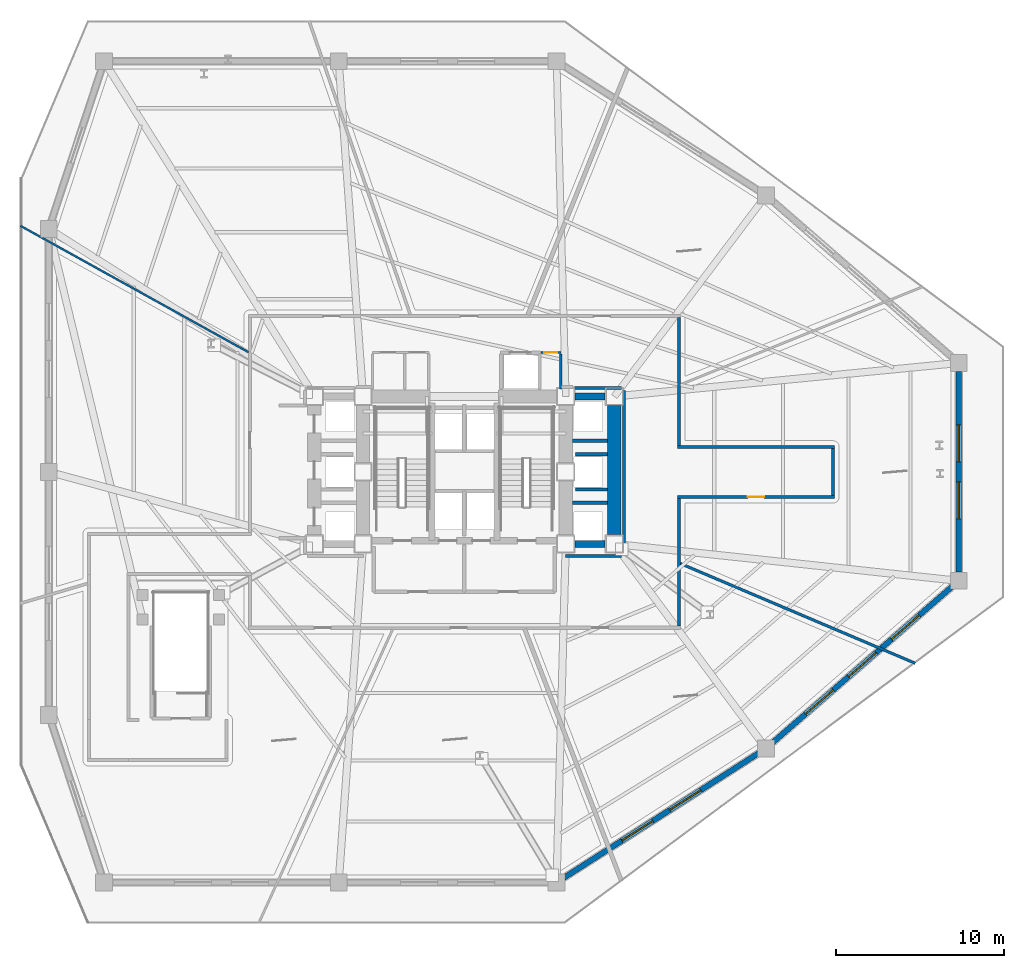
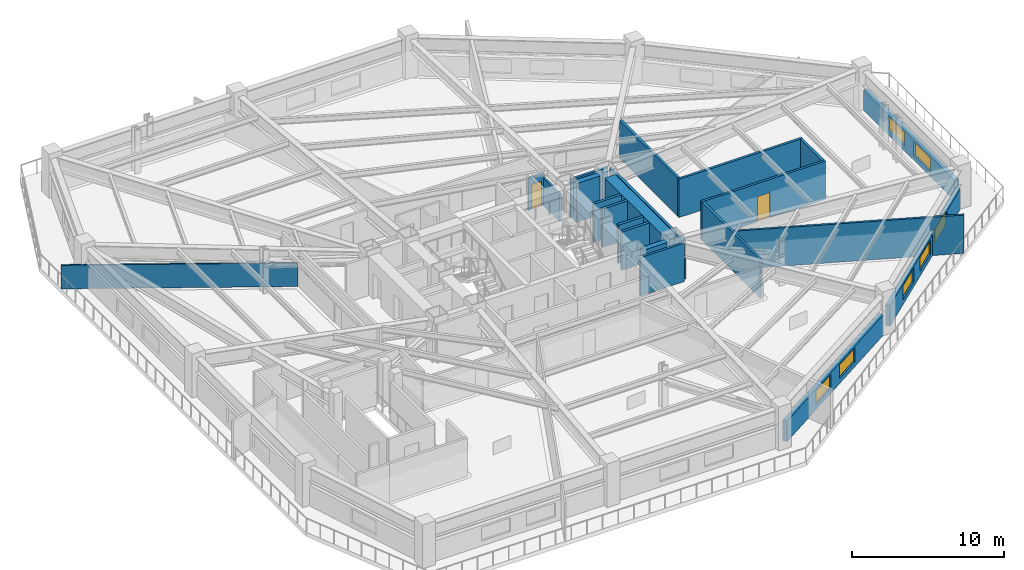
# One storey, part 5 of 10: 22 walls, 7 windows, 2 doors, 9 openings.
"""IFC4 building model written with IfcOpenShell, lengths in metres."""

import ifcopenshell
import ifcopenshell.guid

model = None  # the IFC model being written
_history = None  # IfcOwnerHistory: only IFC2X3 demands one
_inside = {}  # id of a spatial element -> (the spatial element, [elements in it])
_under = {}  # id of a project, library or spatial element -> (it, [spatial elements below it])
_declared = {}  # id of a project -> (the project, [libraries it declares])
_typed = {}  # id of a type object -> (the type object, [elements of that type])
_made_of = {}  # id of a material, layer set ... -> (it, [elements and type objects made of it])


def new_model(schema):
    """Start an empty IFC model of exactly this schema.

    Asked for "IFC4X3", IfcOpenShell would pick the latest addendum, in which some entities
    have other attributes; the version numbers below select the first issue.
    IFC2X3 requires an IfcOwnerHistory on every rooted entity: one is made here for all.
    """
    global model, _history
    if schema == "IFC4X3":
        model = ifcopenshell.file(schema_version=(4, 3, 0, 0))
    else:
        model = ifcopenshell.file(schema=schema)
    _inside.clear()
    _under.clear()
    _declared.clear()
    _typed.clear()
    _made_of.clear()
    _history = None
    if model.schema == "IFC2X3":
        org = make("IfcOrganization", Name="unknown")
        user = make(
            "IfcPersonAndOrganization",
            ThePerson=make("IfcPerson", FamilyName="unknown"),
            TheOrganization=org,
        )
        app = make(
            "IfcApplication",
            ApplicationDeveloper=org,
            Version="unknown",
            ApplicationFullName="unknown",
            ApplicationIdentifier="unknown",
        )
        _history = make(
            "IfcOwnerHistory",
            OwningUser=user,
            OwningApplication=app,
            ChangeAction="ADDED",
            CreationDate=0,
        )
    return model


def make(cls, **values):
    """One entity of the class cls with the attributes given. An attribute that is None is left unset."""
    return model.create_entity(
        cls, **{name: value for name, value in values.items() if value is not None}
    )


def rooted(cls, **values):
    """An entity with a GlobalId (a new one), such as an element, a storey or a relation."""
    return make(cls, GlobalId=ifcopenshell.guid.new(), OwnerHistory=_history, **values)


def si_unit(unit_type, name, prefix=None):
    """IfcSIUnit, for example si_unit("LENGTHUNIT", "METRE", prefix="MILLI")."""
    return make("IfcSIUnit", UnitType=unit_type, Prefix=prefix, Name=name)


def assignment(units):
    """IfcUnitAssignment: the units of a project."""
    return None if units is None else make("IfcUnitAssignment", Units=units)


def point(xyz):
    """IfcCartesianPoint."""
    return None if xyz is None else make("IfcCartesianPoint", Coordinates=xyz)


def direction(xyz):
    """IfcDirection."""
    return None if xyz is None else make("IfcDirection", DirectionRatios=xyz)


def frame(location, z_axis=None, x_axis=None):
    """IfcAxis2Placement3D, a coordinate frame: its origin and axes. An axis left out is left unset."""
    return make(
        "IfcAxis2Placement3D",
        Location=point(location),
        Axis=direction(z_axis),
        RefDirection=direction(x_axis),
    )


def frame_2d(location, x_axis=None):
    """IfcAxis2Placement2D, a coordinate frame in the plane: its origin and x axis."""
    return make(
        "IfcAxis2Placement2D", Location=point(location), RefDirection=direction(x_axis)
    )


def origin():
    """The frame at (0, 0, 0) with its axes left unset."""
    return frame((0.0, 0.0, 0.0))


def place(relative_to, where):
    """IfcLocalPlacement: puts the frame where relative to a parent placement (None: the world)."""
    return make(
        "IfcLocalPlacement", PlacementRelTo=relative_to, RelativePlacement=where
    )


def context(
    kind, dimensions, precision=None, world=None, true_north=None, identifier=None
):
    """IfcGeometricRepresentationContext, for example the 3D "Model" context."""
    return make(
        "IfcGeometricRepresentationContext",
        ContextIdentifier=identifier,
        ContextType=kind,
        CoordinateSpaceDimension=dimensions,
        Precision=precision,
        WorldCoordinateSystem=world,
        TrueNorth=true_north,
    )


def subcontext(parent, identifier, kind, view, scale=None):
    """IfcGeometricRepresentationSubContext, for example "Body" below "Model"."""
    return make(
        "IfcGeometricRepresentationSubContext",
        ContextIdentifier=identifier,
        ContextType=kind,
        ParentContext=parent,
        TargetScale=scale,
        TargetView=view,
    )


def project(units=None, contexts=None):
    """IfcProject with its units and contexts."""
    return rooted(
        "IfcProject",
        Name="project",
        RepresentationContexts=contexts,
        UnitsInContext=assignment(units),
    )


def spatial(cls, under=None, at=None, **own):
    """A site, building, storey or space (cls), placed at a placement, below another one or the project."""
    s = rooted(cls, ObjectPlacement=at, **own)
    if under is not None:
        _under.setdefault(under.id(), (under, []))[1].append(s)
    return s


def profile(cls, at=None, kind="AREA", **sizes):
    """A parametric profile (cls). Its sizes go by their IFC names, for example OverallWidth=200.0."""
    return make(cls, ProfileType=kind, Position=at, **sizes)


def rectangle(**sizes):
    """IfcRectangleProfileDef."""
    return profile("IfcRectangleProfileDef", **sizes)


def extrude(swept, where, along, depth):
    """IfcExtrudedAreaSolid: the profile swept, set in the frame where, extruded along a direction by depth."""
    return make(
        "IfcExtrudedAreaSolid",
        SweptArea=swept,
        Position=where,
        ExtrudedDirection=direction(along),
        Depth=depth,
    )


def shape(context_of_items, identifier, shape_type, items):
    """IfcShapeRepresentation: the items that make up one representation, for example the "Body"."""
    return make(
        "IfcShapeRepresentation",
        ContextOfItems=context_of_items,
        RepresentationIdentifier=identifier,
        RepresentationType=shape_type,
        Items=items,
    )


def material(Name=None, Category=None):
    """IfcMaterial."""
    return make("IfcMaterial", Name=Name, Category=Category)


def layer(
    of_material, thickness, ventilated=None, Name=None, Category=None, Priority=None
):
    """IfcMaterialLayer: one layer of a wall or slab, of a material (None: an air gap)."""
    return make(
        "IfcMaterialLayer",
        Material=of_material,
        LayerThickness=thickness,
        IsVentilated=ventilated,
        Name=Name,
        Category=Category,
        Priority=Priority,
    )


def layer_set(layers, Name=None):
    """IfcMaterialLayerSet."""
    return make("IfcMaterialLayerSet", MaterialLayers=layers, LayerSetName=Name)


def made_of(thing, what):
    """Note that an element or type object is made of a material, layer set ...; save() writes the relation."""
    if what is not None:
        _made_of.setdefault(what.id(), (what, []))[1].append(thing)
    return thing


def type_object(cls, material=None, **own):
    """A type object (cls), such as IfcWallType, which elements share."""
    return made_of(rooted(cls, **own), material)


def element(
    cls,
    number,
    at=None,
    inside=None,
    cuts=None,
    type_object=None,
    material=None,
    context=None,
    identifier="Body",
    shape_type=None,
    held_by="IfcProductDefinitionShape",
    body=None,
    shapes=None,
    **own,
):
    """One element of the class cls, such as IfcWall. Its Tag is "e" and its number.

    at: its placement. inside: the storey or other place that contains it. cuts: it is an
    opening in that element (IfcRelVoidsElement). A single representation is given by context,
    identifier, shape_type and body (its items); several are given by shapes. held_by: the class
    of the entity that holds the representations. save() writes the other relations.
    """
    e = rooted(cls, Tag="e%d" % number, ObjectPlacement=at, **own)
    if body is not None:
        shapes = [shape(context, identifier, shape_type, body)]
    if shapes is not None:
        e.Representation = make(held_by, Representations=shapes)
    if inside is not None:
        _inside.setdefault(inside.id(), (inside, []))[1].append(e)
    if cuts is not None:
        rooted(
            "IfcRelVoidsElement", RelatingBuildingElement=cuts, RelatedOpeningElement=e
        )
    if type_object is not None:
        _typed.setdefault(type_object.id(), (type_object, []))[1].append(e)
    return made_of(e, material)


def fill(opening, filler):
    """IfcRelFillsElement: the door or window that sits in an opening."""
    return rooted(
        "IfcRelFillsElement",
        RelatingOpeningElement=opening,
        RelatedBuildingElement=filler,
    )


def aggregate(whole, parts):
    """IfcRelAggregates: a whole, such as a stair, and the parts it consists of."""
    return rooted("IfcRelAggregates", RelatingObject=whole, RelatedObjects=parts)


def save(model, path):
    """Write the relations noted so far, then the file.

    IfcRelAggregates (storeys below a building ...), IfcRelContainedInSpatialStructure (elements
    in a storey), IfcRelDefinesByType, IfcRelAssociatesMaterial and IfcRelDeclares: one each for
    every whole, place, type object, material and project.
    """
    for whole, parts in _under.values():
        aggregate(whole, parts)
    for where, things in _inside.values():
        rooted(
            "IfcRelContainedInSpatialStructure",
            RelatedElements=things,
            RelatingStructure=where,
        )
    for kind, things in _typed.values():
        rooted("IfcRelDefinesByType", RelatedObjects=things, RelatingType=kind)
    for what, things in _made_of.values():
        rooted("IfcRelAssociatesMaterial", RelatedObjects=things, RelatingMaterial=what)
    for by, libraries in _declared.values():
        rooted("IfcRelDeclares", RelatingContext=by, RelatedDefinitions=libraries)
    model.write(path)


model = new_model("IFC4")

# Units and contexts
model_context = context("Model", 3, precision=1e-05, world=origin(), true_north=direction((0.0, 1.0)))
body_context = subcontext(model_context, "Body", "Model", "MODEL_VIEW")
ifc_project = project(units=[si_unit("LENGTHUNIT", "METRE"), si_unit("AREAUNIT", "SQUARE_METRE"), si_unit("VOLUMEUNIT", "CUBIC_METRE"), si_unit("PLANEANGLEUNIT", "RADIAN"), si_unit("MASSUNIT", "GRAM", prefix="KILO")], contexts=[model_context])

# Site, building, storey
site_placement = place(None, origin())
site = spatial("IfcSite", under=ifc_project, at=site_placement, CompositionType="ELEMENT")
building_placement = place(site_placement, origin())
building = spatial("IfcBuilding", under=site, at=building_placement, Name="Rocaltana Carrier Exchange", CompositionType="ELEMENT")
storey_placement = place(building_placement, frame((0.0, 0.0, 15.360107421875)))
storey = spatial("IfcBuildingStorey", under=building, at=storey_placement, Name="L05", CompositionType="ELEMENT", Elevation=15.360107421875)

# Walls
ifc_material_1 = material(Name="Double Acoustic Gypsum Partition", Category="gypsum")
ifc_layer_1 = layer(ifc_material_1, 0.159912109375)
ifc_layer_set_1 = layer_set([ifc_layer_1], Name="Double Acoustic Gypsum Partition")
wall_type_1 = type_object("IfcWallType", Name="Acoustic Studio Partition 160 EI60", PredefinedType="PARTITIONING", material=ifc_layer_set_1)
wall_1_placement = place(storey_placement, frame((12.8798828125, -5.46728515625, 0.0), z_axis=(0.0, 0.0, 1.0), x_axis=(0.920509657283, -0.390719811181, 0.0)))
element("IfcWall", 1, at=wall_1_placement, inside=storey, type_object=wall_type_1, Name="L05 Suite Divider Wall D4", PredefinedType="PARTITIONING", context=body_context, shape_type="SweptSolid", body=[
    extrude(rectangle(XDim=15.234375, YDim=0.159912109375, at=frame_2d((7.6171875, 0.0))), origin(), (0.0, 0.0, 1.0), 3.072998046875),
])
ifc_material_2 = material(Name="Concrete C50/60", Category="concrete")
ifc_layer_2 = layer(ifc_material_2, 0.39990234375)
ifc_layer_set_2 = layer_set([ifc_layer_2], Name="Concrete C50/60")
wall_type_2 = type_object("IfcWallType", Name="Core Internal Shear Wall 400", PredefinedType="SHEAR", material=ifc_layer_set_2)
for number, where, z_axis, x_axis, name in (
    (2, (6.60009765625, 4.5, 0.0), (0.0, 0.0, 1.0), (1.0, 0.0, 0.0), "L05 Core Shear Wall CW-EWN"),
    (3, (6.60009765625, -4.300048828125, 0.0), (0.0, 0.0, 1.0), (1.0, 0.0, 0.0), "L05 Core Shear Wall CW-EWS"),
):
    element("IfcWall", number, at=place(storey_placement, frame(where, z_axis=z_axis, x_axis=x_axis)), inside=storey, type_object=wall_type_2, Name=name, PredefinedType="SHEAR", context=body_context, shape_type="SweptSolid", body=[
        extrude(rectangle(XDim=1.7998046875, YDim=0.39990234375, at=frame_2d((0.89990234375, 0.0))), origin(), (0.0, 0.0, 1.0), 3.097900390625),
    ])
ifc_material_3 = material(Name="Concrete C60/75", Category="concrete")
ifc_layer_3 = layer(ifc_material_3, 0.800048828125)
ifc_layer_set_3 = layer_set([ifc_layer_3], Name="Concrete C60/75")
wall_type_3 = type_object("IfcWallType", Name="Core Shear Wall 800", PredefinedType="SHEAR", material=ifc_layer_set_3)
wall_2_placement = place(storey_placement, frame((8.949951171875, -3.75, 0.0), z_axis=(0.0, 0.0, 1.0), x_axis=(0.0, 1.0, 0.0)))
element("IfcWall", 4, at=wall_2_placement, inside=storey, type_object=wall_type_3, Name="L05 Core Shear Wall CW-EW", PredefinedType="SHEAR", context=body_context, shape_type="SweptSolid", body=[
    extrude(rectangle(XDim=7.699951171875, YDim=0.800048828125, at=frame_2d((3.85009765625, 0.0))), origin(), (0.0, 0.0, 1.0), 3.097900390625),
])
ifc_material_4 = material(Name="Gypsum & Steel Stud Partition", Category="steel")
ifc_layer_4 = layer(ifc_material_4, 0.179931640625)
ifc_layer_set_4 = layer_set([ifc_layer_4], Name="Gypsum & Steel Stud Partition")
wall_type_4 = type_object("IfcWallType", Name="Corridor Fire Partition 180 EI60", PredefinedType="PARTITIONING", material=ifc_layer_set_4)
wall_3_placement = place(storey_placement, frame((12.800048828125, 9.2099609375, 0.0), z_axis=(0.0, 0.0, 1.0), x_axis=(0.0, -1.0, 0.0)))
element("IfcWall", 5, at=wall_3_placement, inside=storey, type_object=wall_type_4, Name="L05 Corridor Partition 9", PredefinedType="PARTITIONING", context=body_context, shape_type="SweptSolid", body=[
    extrude(rectangle(XDim=7.619873046875, YDim=0.179931640625, at=frame_2d((3.81005859375, 0.0))), origin(), (0.0, 0.0, 1.0), 3.072998046875),
])
wall_4_placement = place(storey_placement, frame((12.7099609375, 1.5, 0.0), z_axis=(0.0, 0.0, 1.0), x_axis=(1.0, 0.0, 0.0)))
element("IfcWall", 6, at=wall_4_placement, inside=storey, type_object=wall_type_4, Name="L05 Corridor Partition 10", PredefinedType="PARTITIONING", context=body_context, shape_type="SweptSolid", body=[
    extrude(rectangle(XDim=9.380126953125, YDim=0.179931640625, at=frame_2d((4.68994140625, 0.0))), origin(), (0.0, 0.0, 1.0), 3.072998046875),
])
wall_5_placement = place(storey_placement, frame((22.0, 1.409912109375, 0.0), z_axis=(0.0, 0.0, 1.0), x_axis=(0.0, -1.0, 0.0)))
element("IfcWall", 7, at=wall_5_placement, inside=storey, type_object=wall_type_4, Name="L05 Corridor Partition 11", PredefinedType="PARTITIONING", context=body_context, shape_type="SweptSolid", body=[
    extrude(rectangle(XDim=2.81982421875, YDim=0.179931640625, at=frame_2d((1.409912109375, 0.0))), origin(), (0.0, 0.0, 1.0), 3.072998046875),
])

# Wall, opening, door
wall_6_placement = place(storey_placement, frame((22.090087890625, -1.5, 0.0), z_axis=(0.0, 0.0, 1.0), x_axis=(-1.0, 0.0, 0.0)))
wall_6 = element("IfcWall", 8, at=wall_6_placement, inside=storey, type_object=wall_type_4, Name="L05 Corridor Partition 12", PredefinedType="PARTITIONING", context=body_context, shape_type="SweptSolid", body=[
    extrude(rectangle(XDim=9.380126953125, YDim=0.179931640625, at=frame_2d((4.68994140625, 0.0))), origin(), (0.0, 0.0, 1.0), 3.072998046875),
])
opening_1_placement = place(wall_6_placement, frame((4.2099609375, 0.0, 0.0)))
opening_1 = element("IfcOpeningElement", 9, at=opening_1_placement, cuts=wall_6, Name="Opening D-RM098", PredefinedType="OPENING", context=body_context, shape_type="SweptSolid", body=[
    extrude(rectangle(XDim=0.9599609375, YDim=2.02001953125, at=frame_2d((0.47998046875, 1.010009765625))), frame((0.0, 0.099853515625, 0.0), z_axis=(0.0, -1.0, 0.0), x_axis=(1.0, 0.0, 0.0)), (0.0, 0.0, 1.0), 0.199951171875),
])
ifc_material_5 = material(Name="Engineered Hardwood Timber", Category="wood")
door_type_1 = type_object("IfcDoorType", Name="Workspace Single Door 960x2020", OperationType="NOTDEFINED", PredefinedType="DOOR", material=ifc_material_5)
door_1_placement = place(opening_1_placement, origin())
door_1 = element("IfcDoor", 10, at=door_1_placement, inside=storey, type_object=door_type_1, Name="L05 Cloud Architecture Office Entrance Door", OperationType="SINGLE_SWING_LEFT", OverallHeight=2.02001953125, OverallWidth=0.9599609375, PredefinedType="DOOR", context=body_context, shape_type="SweptSolid", body=[
    extrude(rectangle(XDim=0.9599609375, YDim=2.02001953125, at=frame_2d((0.47998046875, 1.010009765625))), frame((0.0, 0.02490234375, 0.0), z_axis=(0.0, -1.0, 0.0), x_axis=(1.0, 0.0, 0.0)), (0.0, 0.0, 1.0), 0.050048828125),
])
fill(opening_1, door_1)

# Walls
wall_7_placement = place(storey_placement, frame((12.800048828125, -1.590087890625, 0.0), z_axis=(0.0, 0.0, 1.0), x_axis=(0.0, -1.0, 0.0)))
element("IfcWall", 11, at=wall_7_placement, inside=storey, type_object=wall_type_4, Name="L05 Corridor Partition 13", PredefinedType="PARTITIONING", context=body_context, shape_type="SweptSolid", body=[
    extrude(rectangle(XDim=7.619873046875, YDim=0.179931640625, at=frame_2d((3.81005859375, 0.0))), origin(), (0.0, 0.0, 1.0), 3.072998046875),
])
wall_8_placement = place(storey_placement, frame((6.030029296875, -5.010009765625, 0.0), z_axis=(0.0, 0.0, 1.0), x_axis=(1.0, 0.0, 0.0)))
element("IfcWall", 12, at=wall_8_placement, inside=storey, type_object=wall_type_4, Name="L05 Corridor Partition 26", PredefinedType="PARTITIONING", context=body_context, shape_type="SweptSolid", body=[
    extrude(rectangle(XDim=3.340087890625, YDim=0.179931640625, at=frame_2d((1.669921875, 0.0))), origin(), (0.0, 0.0, 1.0), 3.072998046875),
])
wall_9_placement = place(storey_placement, frame((9.510009765625, -4.8701171875, 0.0), z_axis=(0.0, 0.0, 1.0), x_axis=(0.0, 1.0, 0.0)))
element("IfcWall", 13, at=wall_9_placement, inside=storey, type_object=wall_type_4, Name="L05 Corridor Partition 27", PredefinedType="PARTITIONING", context=body_context, shape_type="SweptSolid", body=[
    extrude(rectangle(XDim=9.740234375, YDim=0.179931640625, at=frame_2d((4.8701171875, 0.0))), origin(), (0.0, 0.0, 1.0), 3.072998046875),
])
wall_10_placement = place(storey_placement, frame((9.3701171875, 5.010009765625, 0.0), z_axis=(0.0, 0.0, 1.0), x_axis=(-1.0, 0.0, 0.0)))
element("IfcWall", 14, at=wall_10_placement, inside=storey, type_object=wall_type_4, Name="L05 Corridor Partition 28", PredefinedType="PARTITIONING", context=body_context, shape_type="SweptSolid", body=[
    extrude(rectangle(XDim=2.807861328125, YDim=0.179931640625, at=frame_2d((1.40380859375, 0.0))), origin(), (0.0, 0.0, 1.0), 3.072998046875),
])
ifc_material_6 = material(Name="Aluminium 6063-T6 & Acoustic Glass", Category="aluminium")
ifc_layer_5 = layer(ifc_material_6, 0.114990234375)
ifc_layer_set_5 = layer_set([ifc_layer_5], Name="Aluminium 6063-T6 & Acoustic Glass")
wall_type_5 = type_object("IfcWallType", Name="Demountable Glazed Lab Partition 115", PredefinedType="MOVABLE", material=ifc_layer_set_5)
wall_11_placement = place(storey_placement, frame((-12.8798828125, 7.139404296875, 0.0), z_axis=(0.0, 0.0, 1.0), x_axis=(-0.874620150807, 0.484808819848, 0.0)))
element("IfcWall", 15, at=wall_11_placement, inside=storey, type_object=wall_type_5, Name="L05 Suite Divider Wall D8", PredefinedType="MOVABLE", context=body_context, shape_type="SweptSolid", body=[
    extrude(rectangle(XDim=15.561279296875, YDim=0.114990234375, at=frame_2d((7.78076171875, 0.0))), origin(), (0.0, 0.0, 1.0), 1.892822265625),
])
ifc_material_7 = material(Name="Reinforced Concrete Block C35/45", Category="concrete")
ifc_layer_6 = layer(ifc_material_7, 0.199951171875)
ifc_layer_set_6 = layer_set([ifc_layer_6], Name="Reinforced Concrete Block C35/45")
wall_type_6 = type_object("IfcWallType", Name="Lift Hoistway Enclosure Wall 200 EI120", PredefinedType="PARTITIONING", material=ifc_layer_set_6)
for number, where, z_axis, x_axis, name in (
    (16, (6.449951171875, -1.85009765625, 0.0), (0.0, 0.0, 1.0), (1.0, 0.0, 0.0), "L05 Mid-Rise Shaft Divider 1"),
    (17, (6.449951171875, 1.85009765625, 0.0), (0.0, 0.0, 1.0), (1.0, 0.0, 0.0), "L05 Mid-Rise Shaft Divider 2"),
):
    element("IfcWall", number, at=place(storey_placement, frame(where, z_axis=z_axis, x_axis=x_axis)), inside=storey, type_object=wall_type_6, Name=name, PredefinedType="PARTITIONING", context=body_context, shape_type="SweptSolid", body=[
        extrude(rectangle(XDim=2.10009765625, YDim=0.199951171875, at=frame_2d((1.050048828125, 0.0))), origin(), (0.0, 0.0, 1.0), 3.072998046875),
    ])
for number, where, z_axis, x_axis, name in (
    (18, (6.639892578125, -1.050048828125, 0.0), (0.0, 0.0, 1.0), (1.0, 0.0, 0.0), "L05 Mid-Rise Center Shaft Wall South"),
    (19, (6.639892578125, 1.050048828125, 0.0), (0.0, 0.0, 1.0), (1.0, 0.0, 0.0), "L05 Mid-Rise Center Shaft Wall North"),
):
    element("IfcWall", number, at=place(storey_placement, frame(where, z_axis=z_axis, x_axis=x_axis)), inside=storey, type_object=wall_type_6, Name=name, PredefinedType="PARTITIONING", context=body_context, shape_type="SweptSolid", body=[
        extrude(rectangle(XDim=1.91015625, YDim=0.199951171875, at=frame_2d((0.955078125, 0.0))), origin(), (0.0, 0.0, 1.0), 3.072998046875),
    ])

# Wall, openings, windows
ifc_material_8 = material(Name="Precast sandstone concrete C45/55", Category="masonry")
ifc_layer_7 = layer(ifc_material_8, 0.320068359375)
ifc_layer_set_7 = layer_set([ifc_layer_7], Name="Precast sandstone concrete C45/55")
wall_type_7 = type_object("IfcWallType", Name="Precast Sandstone Facade Wall 320", PredefinedType="SOLIDWALL", material=ifc_layer_set_7)
wall_12_placement = place(storey_placement, frame((17.56201171875, -16.7802734375, 0.0), z_axis=(0.0, 0.0, 1.0), x_axis=(-0.842268830443, -0.539057712368, 0.0)))
wall_12 = element("IfcWall", 20, at=wall_12_placement, inside=storey, type_object=wall_type_7, Name="L05 Sandstone Facade Wall B03", PredefinedType="SOLIDWALL", context=body_context, shape_type="SweptSolid", body=[
    extrude(rectangle(XDim=13.80078125, YDim=0.320068359375, at=frame_2d((6.900390625, 0.0))), origin(), (0.0, 0.0, 1.0), 1.64990234375),
])
opening_2_placement = place(wall_12_placement, frame((4.100341796875, 0.0, 0.39990234375)))
opening_2 = element("IfcOpeningElement", 21, at=opening_2_placement, cuts=wall_12, Name="Opening W-04", PredefinedType="OPENING", context=body_context, shape_type="SweptSolid", body=[
    extrude(rectangle(XDim=2.199951171875, YDim=1.10009765625, at=frame_2d((1.10009765625, 0.550048828125))), frame((0.0, 0.169921875, 0.0), z_axis=(0.0, -1.0, 0.0), x_axis=(1.0, 0.0, 0.0)), (0.0, 0.0, 1.0), 0.340087890625),
])
opening_3_placement = place(wall_12_placement, frame((7.50048828125, 0.0, 0.39990234375)))
opening_3 = element("IfcOpeningElement", 22, at=opening_3_placement, cuts=wall_12, Name="Opening W-04", PredefinedType="OPENING", context=body_context, shape_type="SweptSolid", body=[
    extrude(rectangle(XDim=2.199951171875, YDim=1.10009765625, at=frame_2d((1.10009765625, 0.550048828125))), frame((0.0, 0.169921875, 0.0), z_axis=(0.0, -1.0, 0.0), x_axis=(1.0, 0.0, 0.0)), (0.0, 0.0, 1.0), 0.340087890625),
])
ifc_material_9 = material(Name="Aluminium 6063-T6 & Double Glazing", Category="aluminium")
window_type = type_object("IfcWindowType", Name="Podium Clerestory Window 2200x1100", PartitioningType="SINGLE_PANEL", PredefinedType="WINDOW", material=ifc_material_9)
window_1_placement = place(opening_2_placement, origin())
window_1 = element("IfcWindow", 23, at=window_1_placement, inside=storey, type_object=window_type, Name="L05 Punched Window B03-1", OverallHeight=1.10009765625, OverallWidth=2.199951171875, PartitioningType="SINGLE_PANEL", PredefinedType="WINDOW", context=body_context, shape_type="SweptSolid", body=[
    extrude(rectangle(XDim=2.199951171875, YDim=1.10009765625, at=frame_2d((1.10009765625, 0.550048828125))), frame((0.0, 0.030029296875, 0.0), z_axis=(0.0, -1.0, 0.0), x_axis=(1.0, 0.0, 0.0)), (0.0, 0.0, 1.0), 0.06005859375),
])
fill(opening_2, window_1)
window_2_placement = place(opening_3_placement, origin())
window_2 = element("IfcWindow", 24, at=window_2_placement, inside=storey, type_object=window_type, Name="L05 Punched Window B03-2", OverallHeight=1.10009765625, OverallWidth=2.199951171875, PartitioningType="SINGLE_PANEL", PredefinedType="WINDOW", context=body_context, shape_type="SweptSolid", body=[
    extrude(rectangle(XDim=2.199951171875, YDim=1.10009765625, at=frame_2d((1.10009765625, 0.550048828125))), frame((0.0, 0.030029296875, 0.0), z_axis=(0.0, -1.0, 0.0), x_axis=(1.0, 0.0, 0.0)), (0.0, 0.0, 1.0), 0.06005859375),
])
fill(opening_3, window_2)

wall_13_placement = place(storey_placement, frame((29.107666015625, -6.84130859375, 0.0), z_axis=(0.0, 0.0, 1.0), x_axis=(-0.754615886195, -0.656166796098, 0.0)))
wall_13 = element("IfcWall", 25, at=wall_13_placement, inside=storey, type_object=wall_type_7, Name="L05 Sandstone Facade Wall B04", PredefinedType="SOLIDWALL", context=body_context, shape_type="SweptSolid", body=[
    extrude(rectangle(XDim=14.19970703125, YDim=0.320068359375, at=frame_2d((7.099853515625, 0.0))), origin(), (0.0, 0.0, 1.0), 1.64990234375),
])
opening_4_placement = place(wall_13_placement, frame((2.599853515625, 0.0, 0.39990234375)))
opening_4 = element("IfcOpeningElement", 26, at=opening_4_placement, cuts=wall_13, Name="Opening W-04", PredefinedType="OPENING", context=body_context, shape_type="SweptSolid", body=[
    extrude(rectangle(XDim=2.199951171875, YDim=1.10009765625, at=frame_2d((1.10009765625, 0.550048828125))), frame((0.0, 0.169921875, 0.0), z_axis=(0.0, -1.0, 0.0), x_axis=(1.0, 0.0, 0.0)), (0.0, 0.0, 1.0), 0.340087890625),
])
opening_5_placement = place(wall_13_placement, frame((6.0, 0.0, 0.39990234375)))
opening_5 = element("IfcOpeningElement", 27, at=opening_5_placement, cuts=wall_13, Name="Opening W-04", PredefinedType="OPENING", context=body_context, shape_type="SweptSolid", body=[
    extrude(rectangle(XDim=2.199951171875, YDim=1.10009765625, at=frame_2d((1.10009765625, 0.550048828125))), frame((0.0, 0.169921875, 0.0), z_axis=(0.0, -1.0, 0.0), x_axis=(1.0, 0.0, 0.0)), (0.0, 0.0, 1.0), 0.340087890625),
])
opening_6_placement = place(wall_13_placement, frame((9.39990234375, 0.0, 0.39990234375)))
opening_6 = element("IfcOpeningElement", 28, at=opening_6_placement, cuts=wall_13, Name="Opening W-04", PredefinedType="OPENING", context=body_context, shape_type="SweptSolid", body=[
    extrude(rectangle(XDim=2.199951171875, YDim=1.10009765625, at=frame_2d((1.10009765625, 0.550048828125))), frame((0.0, 0.169921875, 0.0), z_axis=(0.0, -1.0, 0.0), x_axis=(1.0, 0.0, 0.0)), (0.0, 0.0, 1.0), 0.340087890625),
])
window_3_placement = place(opening_4_placement, origin())
window_3 = element("IfcWindow", 29, at=window_3_placement, inside=storey, type_object=window_type, Name="L05 Punched Window B04-1", OverallHeight=1.10009765625, OverallWidth=2.199951171875, PartitioningType="SINGLE_PANEL", PredefinedType="WINDOW", context=body_context, shape_type="SweptSolid", body=[
    extrude(rectangle(XDim=2.199951171875, YDim=1.10009765625, at=frame_2d((1.10009765625, 0.550048828125))), frame((0.0, 0.030029296875, 0.0), z_axis=(0.0, -1.0, 0.0), x_axis=(1.0, 0.0, 0.0)), (0.0, 0.0, 1.0), 0.06005859375),
])
fill(opening_4, window_3)
window_4_placement = place(opening_5_placement, origin())
window_4 = element("IfcWindow", 30, at=window_4_placement, inside=storey, type_object=window_type, Name="L05 Punched Window B04-2", OverallHeight=1.10009765625, OverallWidth=2.199951171875, PartitioningType="SINGLE_PANEL", PredefinedType="WINDOW", context=body_context, shape_type="SweptSolid", body=[
    extrude(rectangle(XDim=2.199951171875, YDim=1.10009765625, at=frame_2d((1.10009765625, 0.550048828125))), frame((0.0, 0.030029296875, 0.0), z_axis=(0.0, -1.0, 0.0), x_axis=(1.0, 0.0, 0.0)), (0.0, 0.0, 1.0), 0.06005859375),
])
fill(opening_5, window_4)
window_5_placement = place(opening_6_placement, origin())
window_5 = element("IfcWindow", 31, at=window_5_placement, inside=storey, type_object=window_type, Name="L05 Punched Window B04-3", OverallHeight=1.10009765625, OverallWidth=2.199951171875, PartitioningType="SINGLE_PANEL", PredefinedType="WINDOW", context=body_context, shape_type="SweptSolid", body=[
    extrude(rectangle(XDim=2.199951171875, YDim=1.10009765625, at=frame_2d((1.10009765625, 0.550048828125))), frame((0.0, 0.030029296875, 0.0), z_axis=(0.0, -1.0, 0.0), x_axis=(1.0, 0.0, 0.0)), (0.0, 0.0, 1.0), 0.06005859375),
])
fill(opening_6, window_5)

wall_14_placement = place(storey_placement, frame((29.5, 5.97998046875, 0.0), z_axis=(0.0, 0.0, 1.0), x_axis=(0.0, -1.0, 0.0)))
wall_14 = element("IfcWall", 32, at=wall_14_placement, inside=storey, type_object=wall_type_7, Name="L05 Sandstone Facade Wall B05", PredefinedType="SOLIDWALL", context=body_context, shape_type="SweptSolid", body=[
    extrude(rectangle(XDim=11.9599609375, YDim=0.320068359375, at=frame_2d((5.97998046875, 0.0))), origin(), (0.0, 0.0, 1.0), 1.64990234375),
])
opening_7_placement = place(wall_14_placement, frame((3.179931640625, 0.0, 0.39990234375)))
opening_7 = element("IfcOpeningElement", 33, at=opening_7_placement, cuts=wall_14, Name="Opening W-04", PredefinedType="OPENING", context=body_context, shape_type="SweptSolid", body=[
    extrude(rectangle(XDim=2.199951171875, YDim=1.10009765625, at=frame_2d((1.10009765625, 0.550048828125))), frame((0.0, 0.169921875, 0.0), z_axis=(0.0, -1.0, 0.0), x_axis=(1.0, 0.0, 0.0)), (0.0, 0.0, 1.0), 0.340087890625),
])
opening_8_placement = place(wall_14_placement, frame((6.580078125, 0.0, 0.39990234375)))
opening_8 = element("IfcOpeningElement", 34, at=opening_8_placement, cuts=wall_14, Name="Opening W-04", PredefinedType="OPENING", context=body_context, shape_type="SweptSolid", body=[
    extrude(rectangle(XDim=2.199951171875, YDim=1.10009765625, at=frame_2d((1.10009765625, 0.550048828125))), frame((0.0, 0.169921875, 0.0), z_axis=(0.0, -1.0, 0.0), x_axis=(1.0, 0.0, 0.0)), (0.0, 0.0, 1.0), 0.340087890625),
])
window_6_placement = place(opening_7_placement, origin())
window_6 = element("IfcWindow", 35, at=window_6_placement, inside=storey, type_object=window_type, Name="L05 Punched Window B05-1", OverallHeight=1.10009765625, OverallWidth=2.199951171875, PartitioningType="SINGLE_PANEL", PredefinedType="WINDOW", context=body_context, shape_type="SweptSolid", body=[
    extrude(rectangle(XDim=2.199951171875, YDim=1.10009765625, at=frame_2d((1.10009765625, 0.550048828125))), frame((0.0, 0.030029296875, 0.0), z_axis=(0.0, -1.0, 0.0), x_axis=(1.0, 0.0, 0.0)), (0.0, 0.0, 1.0), 0.06005859375),
])
fill(opening_7, window_6)
window_7_placement = place(opening_8_placement, origin())
window_7 = element("IfcWindow", 36, at=window_7_placement, inside=storey, type_object=window_type, Name="L05 Punched Window B05-2", OverallHeight=1.10009765625, OverallWidth=2.199951171875, PartitioningType="SINGLE_PANEL", PredefinedType="WINDOW", context=body_context, shape_type="SweptSolid", body=[
    extrude(rectangle(XDim=2.199951171875, YDim=1.10009765625, at=frame_2d((1.10009765625, 0.550048828125))), frame((0.0, 0.030029296875, 0.0), z_axis=(0.0, -1.0, 0.0), x_axis=(1.0, 0.0, 0.0)), (0.0, 0.0, 1.0), 0.06005859375),
])
fill(opening_8, window_7)

# Wall
ifc_material_10 = material(Name="Moisture-Resistant Masonry C30/37", Category="masonry")
ifc_layer_8 = layer(ifc_material_10, 0.139892578125)
ifc_layer_set_8 = layer_set([ifc_layer_8], Name="Moisture-Resistant Masonry C30/37")
wall_type_8 = type_object("IfcWallType", Name="Wet-Area Sanitary Partition 140", PredefinedType="PARTITIONING", material=ifc_layer_set_8)
wall_15_placement = place(storey_placement, frame((5.760009765625, 4.949951171875, 0.0), z_axis=(0.0, 0.0, 1.0), x_axis=(0.0, 1.0, 0.0)))
element("IfcWall", 37, at=wall_15_placement, inside=storey, type_object=wall_type_8, Name="L05 Riser East Wall", PredefinedType="PARTITIONING", context=body_context, shape_type="SweptSolid", body=[
    extrude(rectangle(XDim=2.10009765625, YDim=0.139892578125, at=frame_2d((1.050048828125, 0.0))), origin(), (0.0, 0.0, 1.0), 2.197998046875),
])

# Wall, opening, door
wall_16_placement = place(storey_placement, frame((4.56005859375, 7.1201171875, 0.0), z_axis=(0.0, 0.0, 1.0), x_axis=(1.0, 0.0, 0.0)))
wall_16 = element("IfcWall", 38, at=wall_16_placement, inside=storey, type_object=wall_type_8, Name="L05 Riser North Wall", PredefinedType="PARTITIONING", context=body_context, shape_type="SweptSolid", body=[
    extrude(rectangle(XDim=1.199951171875, YDim=0.139892578125, at=frame_2d((0.60009765625, 0.0))), origin(), (0.0, 0.0, 1.0), 2.5869140625),
])
opening_9_placement = place(wall_16_placement, frame((0.2099609375, 0.0, 0.0)))
opening_9 = element("IfcOpeningElement", 39, at=opening_9_placement, cuts=wall_16, Name="Opening D-RS082", PredefinedType="OPENING", context=body_context, shape_type="SweptSolid", body=[
    extrude(rectangle(XDim=0.780029296875, YDim=2.010009765625, at=frame_2d((0.39013671875, 1.0048828125))), frame((0.0, 0.079833984375, 0.0), z_axis=(0.0, -1.0, 0.0), x_axis=(1.0, 0.0, 0.0)), (0.0, 0.0, 1.0), 0.159912109375),
])
ifc_material_11 = material(Name="Hollow Metal Access Door Leaf", Category="steel")
door_type_2 = type_object("IfcDoorType", Name="Riser & Service Closet Door 780x2010", OperationType="NOTDEFINED", PredefinedType="DOOR", material=ifc_material_11)
door_2_placement = place(opening_9_placement, origin())
door_2 = element("IfcDoor", 40, at=door_2_placement, inside=storey, type_object=door_type_2, Name="L05 Fibre Riser Closet Door", OperationType="SINGLE_SWING_RIGHT", OverallHeight=2.010009765625, OverallWidth=0.780029296875, PredefinedType="DOOR", context=body_context, shape_type="SweptSolid", body=[
    extrude(rectangle(XDim=0.780029296875, YDim=2.010009765625, at=frame_2d((0.39013671875, 1.0048828125))), frame((0.0, 0.02490234375, 0.0), z_axis=(0.0, -1.0, 0.0), x_axis=(1.0, 0.0, 0.0)), (0.0, 0.0, 1.0), 0.050048828125),
])
fill(opening_9, door_2)

save(model, "model.ifc")
